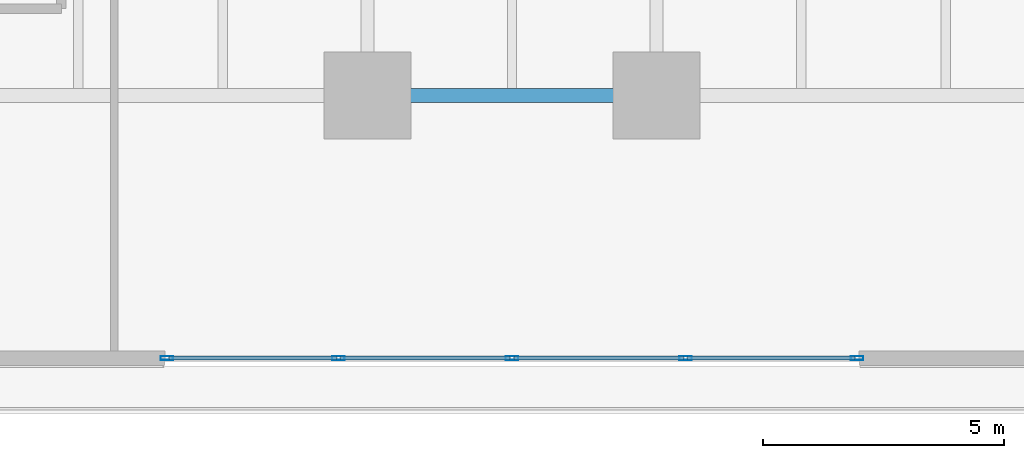
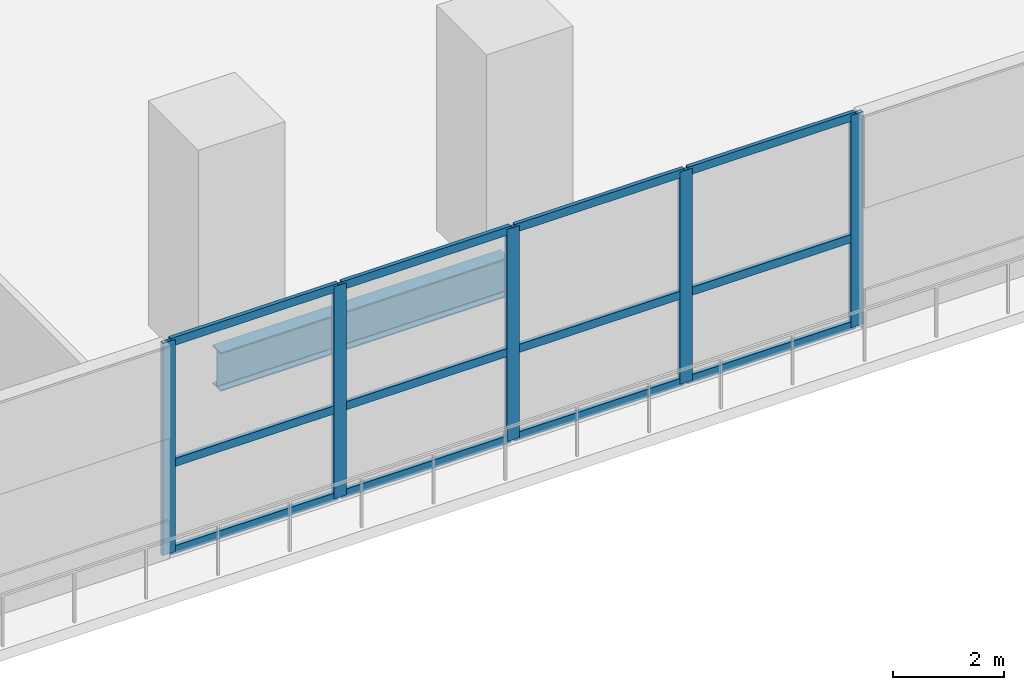
# One storey, part 2 of 24: 17 members, 1 beam, 1 element without a shape of its own.
"""IFC4 building model written with IfcOpenShell, lengths in metres."""

from ifc_helpers import new_model, si_unit, direction, frame, origin, origin_2d, place, context, subcontext, project, spatial, hollow_rectangle, i_section, extrude, material, layer, layer_set, material_profile, profile_set, type_object, element, aggregate, save


model = new_model("IFC4")

# Units and contexts
model_context = context("Model", 3, precision=1e-05, world=origin(), true_north=direction((0.0, 1.0)))
body_context = subcontext(model_context, "Body", "Model", "MODEL_VIEW")
ifc_project = project(units=[si_unit("LENGTHUNIT", "METRE"), si_unit("AREAUNIT", "SQUARE_METRE"), si_unit("VOLUMEUNIT", "CUBIC_METRE"), si_unit("PLANEANGLEUNIT", "RADIAN"), si_unit("MASSUNIT", "GRAM", prefix="KILO")], contexts=[model_context])

# Site, building, storey
site_placement = place(None, origin())
site = spatial("IfcSite", under=ifc_project, at=site_placement, CompositionType="ELEMENT")
building_placement = place(site_placement, origin())
building = spatial("IfcBuilding", under=site, at=building_placement, Name="Tanjung Sevakor Pilgrim Tower", CompositionType="ELEMENT")
storey_placement = place(building_placement, frame((0.0, 0.0, 4.949951171875)))
storey = spatial("IfcBuildingStorey", under=building, at=storey_placement, Name="L02", CompositionType="ELEMENT", Elevation=4.949951171875)

# Beam
ifc_material_1 = material(Name="Steel S355J2", Category="steel")
ifc_material_profile_1 = material_profile(ifc_material_1, i_section(OverallWidth=0.293701171875, OverallDepth=0.850830078125, WebThickness=0.01611328125, FlangeThickness=0.02685546875, FilletRadius=0.017822265625, at=origin_2d()))
ifc_profile_set_1 = profile_set([ifc_material_profile_1], Name="Steel S355J2")
beam_type = type_object("IfcBeamType", Name="BM-B-POD3-UB_838x292x226", PredefinedType="BEAM", material=ifc_profile_set_1)
beam_placement = place(storey_placement, frame((54.0, 6.60009765625, -0.705322265625), z_axis=(1.0, 0.0, 0.0), x_axis=(0.0, 1.0, 0.0)))
element("IfcBeam", 1, at=beam_placement, inside=storey, type_object=beam_type, Name="L02 Podium Girder EW Y6.6-4", PredefinedType="BEAM", context=body_context, shape_type="SweptSolid", body=[
    extrude(i_section(OverallWidth=0.293701171875, OverallDepth=0.850830078125, WebThickness=0.01611328125, FlangeThickness=0.02685546875, FilletRadius=0.017822265625, at=origin_2d()), origin(), (0.0, 0.0, 1.0), 6.0),
])

# Curtain wall, members
ifc_material_2 = material(Name="Aluminium 6063-T6 and Low-E Glass", Category="aluminium")
ifc_layer = layer(ifc_material_2, 0.179931640625)
ifc_layer_set = layer_set([ifc_layer], Name="CW-SYS-POD")
curtain_wall_type = type_object("IfcCurtainWallType", Name="CW-SYS-POD", PredefinedType="NOTDEFINED", material=ifc_layer_set)
curtain_wall_placement = place(storey_placement, origin())
curtain_wall = element("IfcCurtainWall", 2, at=curtain_wall_placement, inside=storey, type_object=curtain_wall_type, Name="L02 Curtain Wall CW-POD-L02-S", PredefinedType="NOTDEFINED")
ifc_material_3 = material(Name="Aluminium 6063-T6", Category="aluminium")
ifc_material_profile_2 = material_profile(ifc_material_3, hollow_rectangle(XDim=0.080078125, YDim=0.260009765625, WallThickness=0.0048828125, at=origin_2d()))
ifc_profile_set_2 = profile_set([ifc_material_profile_2], Name="Aluminium 6063-T6")
member_type_1 = type_object("IfcMemberType", Name="TYPE-CWM-3", PredefinedType="MULLION", material=ifc_profile_set_2)
member_1_placement = place(storey_placement, frame((49.840087890625, 1.14990234375, 0.0), z_axis=(0.0, 0.0, 1.0), x_axis=(0.0, 1.0, 0.0)))
member_1 = element("IfcMember", 3, at=member_1_placement, type_object=member_type_1, Name="CW-POD mullion 1", PredefinedType="MULLION", context=body_context, shape_type="SweptSolid", body=[
    extrude(hollow_rectangle(XDim=0.080078125, YDim=0.260009765625, WallThickness=0.0048828125, at=origin_2d()), origin(), (0.0, 0.0, 1.0), 4.670166015625),
])
member_2_placement = place(storey_placement, frame((53.39990234375, 1.14990234375, 0.0), z_axis=(0.0, 0.0, 1.0), x_axis=(0.0, 1.0, 0.0)))
member_2 = element("IfcMember", 4, at=member_2_placement, type_object=member_type_1, Name="CW-POD mullion 2", PredefinedType="MULLION", context=body_context, shape_type="SweptSolid", body=[
    extrude(hollow_rectangle(XDim=0.080078125, YDim=0.260009765625, WallThickness=0.0048828125, at=origin_2d()), origin(), (0.0, 0.0, 1.0), 4.670166015625),
])
member_3_placement = place(storey_placement, frame((57.0, 1.14990234375, 0.0), z_axis=(0.0, 0.0, 1.0), x_axis=(0.0, 1.0, 0.0)))
member_3 = element("IfcMember", 5, at=member_3_placement, type_object=member_type_1, Name="CW-POD mullion 3", PredefinedType="MULLION", context=body_context, shape_type="SweptSolid", body=[
    extrude(hollow_rectangle(XDim=0.080078125, YDim=0.260009765625, WallThickness=0.0048828125, at=origin_2d()), origin(), (0.0, 0.0, 1.0), 4.670166015625),
])
member_4_placement = place(storey_placement, frame((60.60009765625, 1.14990234375, 0.0), z_axis=(0.0, 0.0, 1.0), x_axis=(0.0, 1.0, 0.0)))
member_4 = element("IfcMember", 6, at=member_4_placement, type_object=member_type_1, Name="CW-POD mullion 4", PredefinedType="MULLION", context=body_context, shape_type="SweptSolid", body=[
    extrude(hollow_rectangle(XDim=0.080078125, YDim=0.260009765625, WallThickness=0.0048828125, at=origin_2d()), origin(), (0.0, 0.0, 1.0), 4.670166015625),
])
member_5_placement = place(storey_placement, frame((64.159912109375, 1.14990234375, 0.0), z_axis=(0.0, 0.0, 1.0), x_axis=(0.0, 1.0, 0.0)))
member_5 = element("IfcMember", 7, at=member_5_placement, type_object=member_type_1, Name="CW-POD mullion 5", PredefinedType="MULLION", context=body_context, shape_type="SweptSolid", body=[
    extrude(hollow_rectangle(XDim=0.080078125, YDim=0.260009765625, WallThickness=0.0048828125, at=origin_2d()), origin(), (0.0, 0.0, 1.0), 4.670166015625),
])
ifc_material_4 = material(Name="Aluminium 6063-T6", Category="aluminium")
ifc_material_profile_3 = material_profile(ifc_material_4, hollow_rectangle(XDim=0.080078125, YDim=0.179931640625, WallThickness=0.0048828125, at=origin_2d()))
ifc_profile_set_3 = profile_set([ifc_material_profile_3], Name="Aluminium 6063-T6")
member_type_2 = type_object("IfcMemberType", Name="TYPE-CWT-3", PredefinedType="USERDEFINED", material=ifc_profile_set_3)
member_6_placement = place(storey_placement, frame((49.8798828125, 1.14990234375, 0.0400390625), z_axis=(1.0, 0.0, 0.0), x_axis=(0.0, 1.0, 0.0)))
member_6 = element("IfcMember", 8, at=member_6_placement, type_object=member_type_2, Name="CW-POD transom 1.1", ObjectType="TRANSOM", PredefinedType="USERDEFINED", context=body_context, shape_type="SweptSolid", body=[
    extrude(hollow_rectangle(XDim=0.080078125, YDim=0.179931640625, WallThickness=0.0048828125, at=origin_2d()), origin(), (0.0, 0.0, 1.0), 3.480224609375),
])
member_7_placement = place(storey_placement, frame((49.8798828125, 1.14990234375, 1.96142578125), z_axis=(1.0, 0.0, 0.0), x_axis=(0.0, 1.0, 0.0)))
member_7 = element("IfcMember", 9, at=member_7_placement, type_object=member_type_2, Name="CW-POD transom 1.2", ObjectType="TRANSOM", PredefinedType="USERDEFINED", context=body_context, shape_type="SweptSolid", body=[
    extrude(hollow_rectangle(XDim=0.080078125, YDim=0.179931640625, WallThickness=0.0048828125, at=origin_2d()), origin(), (0.0, 0.0, 1.0), 3.480224609375),
])
member_8_placement = place(storey_placement, frame((49.8798828125, 1.14990234375, 4.630126953125), z_axis=(1.0, 0.0, 0.0), x_axis=(0.0, 1.0, 0.0)))
member_8 = element("IfcMember", 10, at=member_8_placement, type_object=member_type_2, Name="CW-POD transom 1.3", ObjectType="TRANSOM", PredefinedType="USERDEFINED", context=body_context, shape_type="SweptSolid", body=[
    extrude(hollow_rectangle(XDim=0.080078125, YDim=0.179931640625, WallThickness=0.0048828125, at=origin_2d()), origin(), (0.0, 0.0, 1.0), 3.480224609375),
])
member_9_placement = place(storey_placement, frame((53.43994140625, 1.14990234375, 0.0400390625), z_axis=(1.0, 0.0, 0.0), x_axis=(0.0, 1.0, 0.0)))
member_9 = element("IfcMember", 11, at=member_9_placement, type_object=member_type_2, Name="CW-POD transom 2.1", ObjectType="TRANSOM", PredefinedType="USERDEFINED", context=body_context, shape_type="SweptSolid", body=[
    extrude(hollow_rectangle(XDim=0.080078125, YDim=0.179931640625, WallThickness=0.0048828125, at=origin_2d()), origin(), (0.0, 0.0, 1.0), 3.52001953125),
])
member_10_placement = place(storey_placement, frame((53.43994140625, 1.14990234375, 1.96142578125), z_axis=(1.0, 0.0, 0.0), x_axis=(0.0, 1.0, 0.0)))
member_10 = element("IfcMember", 12, at=member_10_placement, type_object=member_type_2, Name="CW-POD transom 2.2", ObjectType="TRANSOM", PredefinedType="USERDEFINED", context=body_context, shape_type="SweptSolid", body=[
    extrude(hollow_rectangle(XDim=0.080078125, YDim=0.179931640625, WallThickness=0.0048828125, at=origin_2d()), origin(), (0.0, 0.0, 1.0), 3.52001953125),
])
member_11_placement = place(storey_placement, frame((53.43994140625, 1.14990234375, 4.630126953125), z_axis=(1.0, 0.0, 0.0), x_axis=(0.0, 1.0, 0.0)))
member_11 = element("IfcMember", 13, at=member_11_placement, type_object=member_type_2, Name="CW-POD transom 2.3", ObjectType="TRANSOM", PredefinedType="USERDEFINED", context=body_context, shape_type="SweptSolid", body=[
    extrude(hollow_rectangle(XDim=0.080078125, YDim=0.179931640625, WallThickness=0.0048828125, at=origin_2d()), origin(), (0.0, 0.0, 1.0), 3.52001953125),
])
member_12_placement = place(storey_placement, frame((57.0400390625, 1.14990234375, 0.0400390625), z_axis=(1.0, 0.0, 0.0), x_axis=(0.0, 1.0, 0.0)))
member_12 = element("IfcMember", 14, at=member_12_placement, type_object=member_type_2, Name="CW-POD transom 3.1", ObjectType="TRANSOM", PredefinedType="USERDEFINED", context=body_context, shape_type="SweptSolid", body=[
    extrude(hollow_rectangle(XDim=0.080078125, YDim=0.179931640625, WallThickness=0.0048828125, at=origin_2d()), origin(), (0.0, 0.0, 1.0), 3.52001953125),
])
member_13_placement = place(storey_placement, frame((57.0400390625, 1.14990234375, 1.96142578125), z_axis=(1.0, 0.0, 0.0), x_axis=(0.0, 1.0, 0.0)))
member_13 = element("IfcMember", 15, at=member_13_placement, type_object=member_type_2, Name="CW-POD transom 3.2", ObjectType="TRANSOM", PredefinedType="USERDEFINED", context=body_context, shape_type="SweptSolid", body=[
    extrude(hollow_rectangle(XDim=0.080078125, YDim=0.179931640625, WallThickness=0.0048828125, at=origin_2d()), origin(), (0.0, 0.0, 1.0), 3.52001953125),
])
member_14_placement = place(storey_placement, frame((57.0400390625, 1.14990234375, 4.630126953125), z_axis=(1.0, 0.0, 0.0), x_axis=(0.0, 1.0, 0.0)))
member_14 = element("IfcMember", 16, at=member_14_placement, type_object=member_type_2, Name="CW-POD transom 3.3", ObjectType="TRANSOM", PredefinedType="USERDEFINED", context=body_context, shape_type="SweptSolid", body=[
    extrude(hollow_rectangle(XDim=0.080078125, YDim=0.179931640625, WallThickness=0.0048828125, at=origin_2d()), origin(), (0.0, 0.0, 1.0), 3.52001953125),
])
member_15_placement = place(storey_placement, frame((60.639892578125, 1.14990234375, 0.0400390625), z_axis=(1.0, 0.0, 0.0), x_axis=(0.0, 1.0, 0.0)))
member_15 = element("IfcMember", 17, at=member_15_placement, type_object=member_type_2, Name="CW-POD transom 4.1", ObjectType="TRANSOM", PredefinedType="USERDEFINED", context=body_context, shape_type="SweptSolid", body=[
    extrude(hollow_rectangle(XDim=0.080078125, YDim=0.179931640625, WallThickness=0.0048828125, at=origin_2d()), origin(), (0.0, 0.0, 1.0), 3.480224609375),
])
member_16_placement = place(storey_placement, frame((60.639892578125, 1.14990234375, 1.96142578125), z_axis=(1.0, 0.0, 0.0), x_axis=(0.0, 1.0, 0.0)))
member_16 = element("IfcMember", 18, at=member_16_placement, type_object=member_type_2, Name="CW-POD transom 4.2", ObjectType="TRANSOM", PredefinedType="USERDEFINED", context=body_context, shape_type="SweptSolid", body=[
    extrude(hollow_rectangle(XDim=0.080078125, YDim=0.179931640625, WallThickness=0.0048828125, at=origin_2d()), origin(), (0.0, 0.0, 1.0), 3.480224609375),
])
member_17_placement = place(storey_placement, frame((60.639892578125, 1.14990234375, 4.630126953125), z_axis=(1.0, 0.0, 0.0), x_axis=(0.0, 1.0, 0.0)))
member_17 = element("IfcMember", 19, at=member_17_placement, type_object=member_type_2, Name="CW-POD transom 4.3", ObjectType="TRANSOM", PredefinedType="USERDEFINED", context=body_context, shape_type="SweptSolid", body=[
    extrude(hollow_rectangle(XDim=0.080078125, YDim=0.179931640625, WallThickness=0.0048828125, at=origin_2d()), origin(), (0.0, 0.0, 1.0), 3.480224609375),
])
aggregate(curtain_wall, [member_1, member_2, member_3, member_4, member_5, member_6, member_7, member_8, member_9, member_10, member_11, member_12, member_13, member_14, member_15, member_16, member_17])

save(model, "model.ifc")
